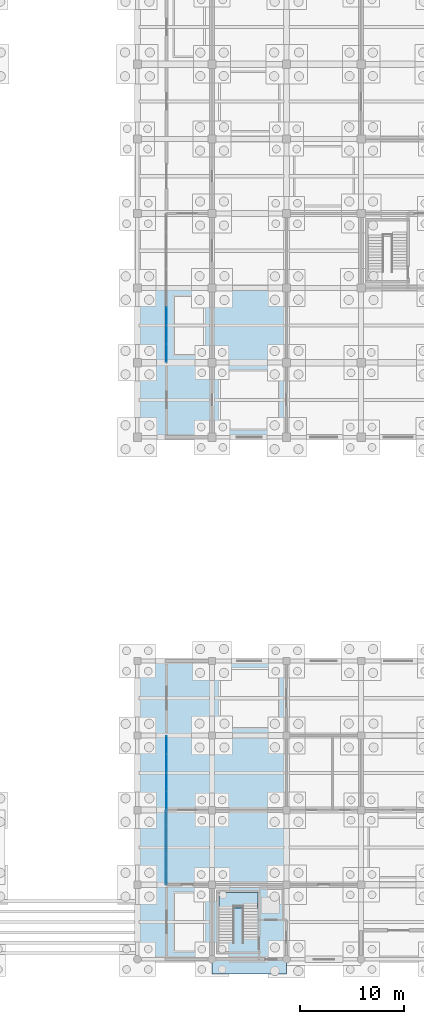
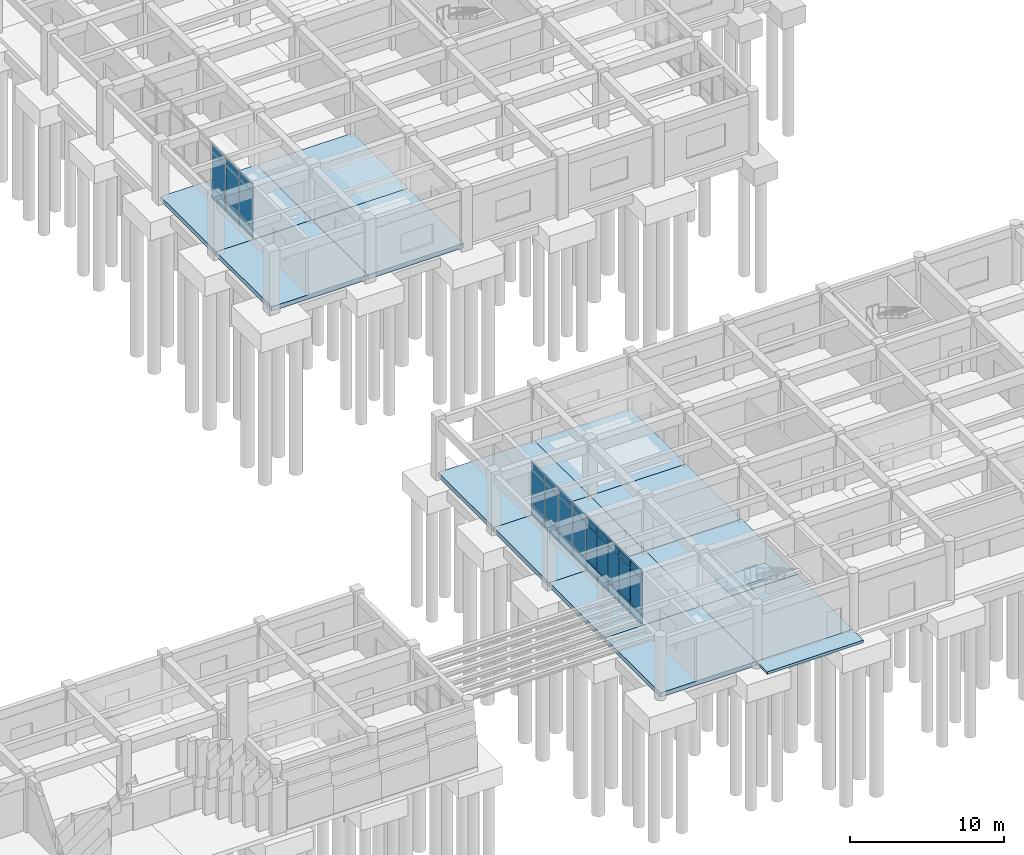
# One storey, part 46 of 79: 36 plates, 14 slabs, 4 elements without a shape of their own.
"""IFC4 building model written with IfcOpenShell, lengths in metres."""

from ifc_helpers import new_model, si_unit, direction, frame, origin, origin_2d, place, context, subcontext, project, spatial, polyline, rectangle, outline, extrude, material, layer, layer_set, type_object, element, aggregate, save


model = new_model("IFC4")

# Units and contexts
model_context = context("Model", 3, precision=1e-05, world=origin(), true_north=direction((0.0, 1.0)))
body_context = subcontext(model_context, "Body", "Model", "MODEL_VIEW")
ifc_project = project(units=[si_unit("LENGTHUNIT", "METRE"), si_unit("AREAUNIT", "SQUARE_METRE"), si_unit("VOLUMEUNIT", "CUBIC_METRE"), si_unit("PLANEANGLEUNIT", "RADIAN"), si_unit("MASSUNIT", "GRAM", prefix="KILO")], contexts=[model_context])

# Site, building, storey
site_placement = place(None, origin())
site = spatial("IfcSite", under=ifc_project, at=site_placement, CompositionType="ELEMENT")
building_placement = place(site_placement, origin())
building = spatial("IfcBuilding", under=site, at=building_placement, Name="Kavelor Marine Aquarium", CompositionType="ELEMENT")
storey_placement = place(building_placement, origin())
storey = spatial("IfcBuildingStorey", under=building, at=storey_placement, Name="L00", CompositionType="ELEMENT", Elevation=0.0)

# Curtain wall, plates
ifc_material_1 = material(Name="Thermally Broken Aluminium and Low-E Glass", Category="aluminium")
ifc_layer_1 = layer(ifc_material_1, 0.243896484375)
ifc_layer_set_1 = layer_set([ifc_layer_1], Name="CW-SYS13")
curtain_wall_type_1 = type_object("IfcCurtainWallType", Name="CW-SYS13", PredefinedType="USERDEFINED", material=ifc_layer_set_1)
curtain_wall_1_placement = place(storey_placement, origin())
curtain_wall_1 = element("IfcCurtainWall", 1, at=curtain_wall_1_placement, inside=storey, type_object=curtain_wall_type_1, Name="cw:arc:v3w:02", ObjectType="Curtain Wall", PredefinedType="USERDEFINED")
ifc_material_2 = material(Name="Solar-Control Double Low-E Glazing", Category="glass")
ifc_layer_2 = layer(ifc_material_2, 0.02587890625)
ifc_layer_set_2 = layer_set([ifc_layer_2], Name="CWP-01")
plate_type_1 = type_object("IfcPlateType", Name="CWP-01", PredefinedType="CURTAIN_PANEL", material=ifc_layer_set_2)
plate_1_placement = place(storey_placement, frame((121.199951171875, 23.481201171875, 0.074951171875), z_axis=(0.0, 0.0, 1.0), x_axis=(0.0, -1.0, 0.0)))
plate_1 = element("IfcPlate", 2, at=plate_1_placement, type_object=plate_type_1, Name="CW13 panel 1.1", PredefinedType="CURTAIN_PANEL", context=body_context, shape_type="SweptSolid", body=[
    extrude(rectangle(XDim=1.6875, YDim=0.02587890625, at=origin_2d()), origin(), (0.0, 0.0, 1.0), 0.78759765625),
])
plate_2_placement = place(storey_placement, frame((121.199951171875, 23.481201171875, 0.9375), z_axis=(0.0, 0.0, 1.0), x_axis=(0.0, -1.0, 0.0)))
plate_2 = element("IfcPlate", 3, at=plate_2_placement, type_object=plate_type_1, Name="CW13 panel 1.2", PredefinedType="CURTAIN_PANEL", context=body_context, shape_type="SweptSolid", body=[
    extrude(rectangle(XDim=1.6875, YDim=0.02587890625, at=origin_2d()), origin(), (0.0, 0.0, 1.0), 2.7451171875),
])
plate_3_placement = place(storey_placement, frame((121.199951171875, 23.481201171875, 3.757568359375), z_axis=(0.0, 0.0, 1.0), x_axis=(0.0, -1.0, 0.0)))
plate_3 = element("IfcPlate", 4, at=plate_3_placement, type_object=plate_type_1, Name="CW13 panel 1.3", PredefinedType="CURTAIN_PANEL", context=body_context, shape_type="SweptSolid", body=[
    extrude(rectangle(XDim=1.6875, YDim=0.02587890625, at=origin_2d()), origin(), (0.0, 0.0, 1.0), 0.53759765625),
])
plate_4_placement = place(storey_placement, frame((121.199951171875, 21.699951171875, 0.074951171875), z_axis=(0.0, 0.0, 1.0), x_axis=(0.0, -1.0, 0.0)))
plate_4 = element("IfcPlate", 5, at=plate_4_placement, type_object=plate_type_1, Name="CW13 panel 2.1", PredefinedType="CURTAIN_PANEL", context=body_context, shape_type="SweptSolid", body=[
    extrude(rectangle(XDim=1.72509765625, YDim=0.02587890625, at=origin_2d()), origin(), (0.0, 0.0, 1.0), 0.78759765625),
])
plate_5_placement = place(storey_placement, frame((121.199951171875, 21.699951171875, 0.9375), z_axis=(0.0, 0.0, 1.0), x_axis=(0.0, -1.0, 0.0)))
plate_5 = element("IfcPlate", 6, at=plate_5_placement, type_object=plate_type_1, Name="CW13 panel 2.2", PredefinedType="CURTAIN_PANEL", context=body_context, shape_type="SweptSolid", body=[
    extrude(rectangle(XDim=1.72509765625, YDim=0.02587890625, at=origin_2d()), origin(), (0.0, 0.0, 1.0), 2.7451171875),
])
plate_6_placement = place(storey_placement, frame((121.199951171875, 21.699951171875, 3.757568359375), z_axis=(0.0, 0.0, 1.0), x_axis=(0.0, -1.0, 0.0)))
plate_6 = element("IfcPlate", 7, at=plate_6_placement, type_object=plate_type_1, Name="CW13 panel 2.3", PredefinedType="CURTAIN_PANEL", context=body_context, shape_type="SweptSolid", body=[
    extrude(rectangle(XDim=1.72509765625, YDim=0.02587890625, at=origin_2d()), origin(), (0.0, 0.0, 1.0), 0.53759765625),
])
plate_7_placement = place(storey_placement, frame((121.199951171875, 19.89990234375, 0.074951171875), z_axis=(0.0, 0.0, 1.0), x_axis=(0.0, -1.0, 0.0)))
plate_7 = element("IfcPlate", 8, at=plate_7_placement, type_object=plate_type_1, Name="CW13 panel 3.1", PredefinedType="CURTAIN_PANEL", context=body_context, shape_type="SweptSolid", body=[
    extrude(rectangle(XDim=1.72509765625, YDim=0.02587890625, at=origin_2d()), origin(), (0.0, 0.0, 1.0), 0.78759765625),
])
plate_8_placement = place(storey_placement, frame((121.199951171875, 19.89990234375, 0.9375), z_axis=(0.0, 0.0, 1.0), x_axis=(0.0, -1.0, 0.0)))
plate_8 = element("IfcPlate", 9, at=plate_8_placement, type_object=plate_type_1, Name="CW13 panel 3.2", PredefinedType="CURTAIN_PANEL", context=body_context, shape_type="SweptSolid", body=[
    extrude(rectangle(XDim=1.72509765625, YDim=0.02587890625, at=origin_2d()), origin(), (0.0, 0.0, 1.0), 2.7451171875),
])
plate_9_placement = place(storey_placement, frame((121.199951171875, 19.89990234375, 3.757568359375), z_axis=(0.0, 0.0, 1.0), x_axis=(0.0, -1.0, 0.0)))
plate_9 = element("IfcPlate", 10, at=plate_9_placement, type_object=plate_type_1, Name="CW13 panel 3.3", PredefinedType="CURTAIN_PANEL", context=body_context, shape_type="SweptSolid", body=[
    extrude(rectangle(XDim=1.72509765625, YDim=0.02587890625, at=origin_2d()), origin(), (0.0, 0.0, 1.0), 0.53759765625),
])
plate_10_placement = place(storey_placement, frame((121.199951171875, 18.11865234375, 0.074951171875), z_axis=(0.0, 0.0, 1.0), x_axis=(0.0, -1.0, 0.0)))
plate_10 = element("IfcPlate", 11, at=plate_10_placement, type_object=plate_type_1, Name="CW13 panel 4.1", PredefinedType="CURTAIN_PANEL", context=body_context, shape_type="SweptSolid", body=[
    extrude(rectangle(XDim=1.6875, YDim=0.02587890625, at=origin_2d()), origin(), (0.0, 0.0, 1.0), 0.78759765625),
])
plate_11_placement = place(storey_placement, frame((121.199951171875, 18.11865234375, 0.9375), z_axis=(0.0, 0.0, 1.0), x_axis=(0.0, -1.0, 0.0)))
plate_11 = element("IfcPlate", 12, at=plate_11_placement, type_object=plate_type_1, Name="CW13 panel 4.2", PredefinedType="CURTAIN_PANEL", context=body_context, shape_type="SweptSolid", body=[
    extrude(rectangle(XDim=1.6875, YDim=0.02587890625, at=origin_2d()), origin(), (0.0, 0.0, 1.0), 2.7451171875),
])
plate_12_placement = place(storey_placement, frame((121.199951171875, 18.11865234375, 3.757568359375), z_axis=(0.0, 0.0, 1.0), x_axis=(0.0, -1.0, 0.0)))
plate_12 = element("IfcPlate", 13, at=plate_12_placement, type_object=plate_type_1, Name="CW13 panel 4.3", PredefinedType="CURTAIN_PANEL", context=body_context, shape_type="SweptSolid", body=[
    extrude(rectangle(XDim=1.6875, YDim=0.02587890625, at=origin_2d()), origin(), (0.0, 0.0, 1.0), 0.53759765625),
])
aggregate(curtain_wall_1, [plate_1, plate_2, plate_3, plate_4, plate_5, plate_6, plate_7, plate_8, plate_9, plate_10, plate_11, plate_12])

ifc_material_3 = material(Name="Thermally Broken Aluminium and Low-E Glass", Category="aluminium")
ifc_layer_3 = layer(ifc_material_3, 0.26806640625)
ifc_layer_set_3 = layer_set([ifc_layer_3], Name="CW-SYS16")
curtain_wall_type_2 = type_object("IfcCurtainWallType", Name="CW-SYS16", PredefinedType="USERDEFINED", material=ifc_layer_set_3)
curtain_wall_2_placement = place(storey_placement, origin())
curtain_wall_2 = element("IfcCurtainWall", 14, at=curtain_wall_2_placement, inside=storey, type_object=curtain_wall_type_2, Name="cw:arc:v6w:08", ObjectType="Curtain Wall", PredefinedType="USERDEFINED")
ifc_material_4 = material(Name="Solar-Control Double Low-E Glazing", Category="glass")
ifc_layer_4 = layer(ifc_material_4, 0.031982421875)
ifc_layer_set_4 = layer_set([ifc_layer_4], Name="CWP-04")
plate_type_2 = type_object("IfcPlateType", Name="CWP-04", PredefinedType="CURTAIN_PANEL", material=ifc_layer_set_4)
plate_13_placement = place(storey_placement, frame((121.199951171875, 64.89990234375, 0.06005859375), z_axis=(0.0, 0.0, 1.0), x_axis=(0.0, -1.0, 0.0)))
plate_13 = element("IfcPlate", 15, at=plate_13_placement, type_object=plate_type_2, Name="CW16 panel 2.1", PredefinedType="CURTAIN_PANEL", context=body_context, shape_type="SweptSolid", body=[
    extrude(rectangle(XDim=1.72509765625, YDim=0.031982421875, at=origin_2d()), origin(), (0.0, 0.0, 1.0), 0.81005859375),
])
plate_14_placement = place(storey_placement, frame((121.199951171875, 64.89990234375, 0.93017578125), z_axis=(0.0, 0.0, 1.0), x_axis=(0.0, -1.0, 0.0)))
plate_14 = element("IfcPlate", 16, at=plate_14_placement, type_object=plate_type_2, Name="CW16 panel 2.2", PredefinedType="CURTAIN_PANEL", context=body_context, shape_type="SweptSolid", body=[
    extrude(rectangle(XDim=1.72509765625, YDim=0.031982421875, at=origin_2d()), origin(), (0.0, 0.0, 1.0), 2.760009765625),
])
plate_15_placement = place(storey_placement, frame((121.199951171875, 64.89990234375, 3.75), z_axis=(0.0, 0.0, 1.0), x_axis=(0.0, -1.0, 0.0)))
plate_15 = element("IfcPlate", 17, at=plate_15_placement, type_object=plate_type_2, Name="CW16 panel 2.3", PredefinedType="CURTAIN_PANEL", context=body_context, shape_type="SweptSolid", body=[
    extrude(rectangle(XDim=1.72509765625, YDim=0.031982421875, at=origin_2d()), origin(), (0.0, 0.0, 1.0), 0.56005859375),
])
plate_16_placement = place(storey_placement, frame((121.199951171875, 63.10009765625, 0.06005859375), z_axis=(0.0, 0.0, 1.0), x_axis=(0.0, -1.0, 0.0)))
plate_16 = element("IfcPlate", 18, at=plate_16_placement, type_object=plate_type_2, Name="CW16 panel 3.1", PredefinedType="CURTAIN_PANEL", context=body_context, shape_type="SweptSolid", body=[
    extrude(rectangle(XDim=1.72509765625, YDim=0.031982421875, at=origin_2d()), origin(), (0.0, 0.0, 1.0), 0.81005859375),
])
plate_17_placement = place(storey_placement, frame((121.199951171875, 63.10009765625, 0.93017578125), z_axis=(0.0, 0.0, 1.0), x_axis=(0.0, -1.0, 0.0)))
plate_17 = element("IfcPlate", 19, at=plate_17_placement, type_object=plate_type_2, Name="CW16 panel 3.2", PredefinedType="CURTAIN_PANEL", context=body_context, shape_type="SweptSolid", body=[
    extrude(rectangle(XDim=1.72509765625, YDim=0.031982421875, at=origin_2d()), origin(), (0.0, 0.0, 1.0), 2.760009765625),
])
plate_18_placement = place(storey_placement, frame((121.199951171875, 63.10009765625, 3.75), z_axis=(0.0, 0.0, 1.0), x_axis=(0.0, -1.0, 0.0)))
plate_18 = element("IfcPlate", 20, at=plate_18_placement, type_object=plate_type_2, Name="CW16 panel 3.3", PredefinedType="CURTAIN_PANEL", context=body_context, shape_type="SweptSolid", body=[
    extrude(rectangle(XDim=1.72509765625, YDim=0.031982421875, at=origin_2d()), origin(), (0.0, 0.0, 1.0), 0.56005859375),
])
plate_19_placement = place(storey_placement, frame((121.199951171875, 61.31884765625, 0.06005859375), z_axis=(0.0, 0.0, 1.0), x_axis=(0.0, -1.0, 0.0)))
plate_19 = element("IfcPlate", 21, at=plate_19_placement, type_object=plate_type_2, Name="CW16 panel 4.1", PredefinedType="CURTAIN_PANEL", context=body_context, shape_type="SweptSolid", body=[
    extrude(rectangle(XDim=1.6875, YDim=0.031982421875, at=origin_2d()), origin(), (0.0, 0.0, 1.0), 0.81005859375),
])
plate_20_placement = place(storey_placement, frame((121.199951171875, 61.31884765625, 0.93017578125), z_axis=(0.0, 0.0, 1.0), x_axis=(0.0, -1.0, 0.0)))
plate_20 = element("IfcPlate", 22, at=plate_20_placement, type_object=plate_type_2, Name="CW16 panel 4.2", PredefinedType="CURTAIN_PANEL", context=body_context, shape_type="SweptSolid", body=[
    extrude(rectangle(XDim=1.6875, YDim=0.031982421875, at=origin_2d()), origin(), (0.0, 0.0, 1.0), 2.760009765625),
])
plate_21_placement = place(storey_placement, frame((121.199951171875, 61.31884765625, 3.75), z_axis=(0.0, 0.0, 1.0), x_axis=(0.0, -1.0, 0.0)))
plate_21 = element("IfcPlate", 23, at=plate_21_placement, type_object=plate_type_2, Name="CW16 panel 4.3", PredefinedType="CURTAIN_PANEL", context=body_context, shape_type="SweptSolid", body=[
    extrude(rectangle(XDim=1.6875, YDim=0.031982421875, at=origin_2d()), origin(), (0.0, 0.0, 1.0), 0.56005859375),
])
aggregate(curtain_wall_2, [plate_13, plate_14, plate_15, plate_16, plate_17, plate_18, plate_19, plate_20, plate_21])

ifc_material_5 = material(Name="Thermally Broken Aluminium and Low-E Glass", Category="aluminium")
ifc_layer_5 = layer(ifc_material_5, 0.236083984375)
ifc_layer_set_5 = layer_set([ifc_layer_5], Name="CW-SYS12")
curtain_wall_type_3 = type_object("IfcCurtainWallType", Name="CW-SYS12", PredefinedType="USERDEFINED", material=ifc_layer_set_5)
curtain_wall_3_placement = place(storey_placement, origin())
curtain_wall_3 = element("IfcCurtainWall", 24, at=curtain_wall_3_placement, inside=storey, type_object=curtain_wall_type_3, Name="cw:arc:v3w:01", ObjectType="Curtain Wall", PredefinedType="USERDEFINED")
ifc_material_6 = material(Name="Laminated Cast Acrylic Viewing Glazing", Category="glass")
ifc_layer_6 = layer(ifc_material_6, 0.095947265625)
ifc_layer_set_6 = layer_set([ifc_layer_6], Name="CWP-36")
plate_type_3 = type_object("IfcPlateType", Name="CWP-36", PredefinedType="CURTAIN_PANEL", material=ifc_layer_set_6)
plate_22_placement = place(storey_placement, frame((121.199951171875, 16.465087890625, 0.074951171875), z_axis=(0.0, 0.0, 1.0), x_axis=(0.0, -1.0, 0.0)))
plate_22 = element("IfcPlate", 25, at=plate_22_placement, type_object=plate_type_3, Name="CW12 panel 1.1", PredefinedType="CURTAIN_PANEL", context=body_context, shape_type="SweptSolid", body=[
    extrude(rectangle(XDim=1.35009765625, YDim=0.095947265625, at=origin_2d()), origin(), (0.0, 0.0, 1.0), 0.78759765625),
])
plate_23_placement = place(storey_placement, frame((121.199951171875, 16.465087890625, 0.9375), z_axis=(0.0, 0.0, 1.0), x_axis=(0.0, -1.0, 0.0)))
plate_23 = element("IfcPlate", 26, at=plate_23_placement, type_object=plate_type_3, Name="CW12 panel 1.2", PredefinedType="CURTAIN_PANEL", context=body_context, shape_type="SweptSolid", body=[
    extrude(rectangle(XDim=1.35009765625, YDim=0.095947265625, at=origin_2d()), origin(), (0.0, 0.0, 1.0), 2.7451171875),
])
plate_24_placement = place(storey_placement, frame((121.199951171875, 16.465087890625, 3.757568359375), z_axis=(0.0, 0.0, 1.0), x_axis=(0.0, -1.0, 0.0)))
plate_24 = element("IfcPlate", 27, at=plate_24_placement, type_object=plate_type_3, Name="CW12 panel 1.3", PredefinedType="CURTAIN_PANEL", context=body_context, shape_type="SweptSolid", body=[
    extrude(rectangle(XDim=1.35009765625, YDim=0.095947265625, at=origin_2d()), origin(), (0.0, 0.0, 1.0), 0.53759765625),
])
plate_25_placement = place(storey_placement, frame((121.199951171875, 15.0400390625, 0.074951171875), z_axis=(0.0, 0.0, 1.0), x_axis=(0.0, -1.0, 0.0)))
plate_25 = element("IfcPlate", 28, at=plate_25_placement, type_object=plate_type_3, Name="CW12 panel 2.1", PredefinedType="CURTAIN_PANEL", context=body_context, shape_type="SweptSolid", body=[
    extrude(rectangle(XDim=1.3798828125, YDim=0.095947265625, at=origin_2d()), origin(), (0.0, 0.0, 1.0), 0.78759765625),
])
plate_26_placement = place(storey_placement, frame((121.199951171875, 15.0400390625, 0.9375), z_axis=(0.0, 0.0, 1.0), x_axis=(0.0, -1.0, 0.0)))
plate_26 = element("IfcPlate", 29, at=plate_26_placement, type_object=plate_type_3, Name="CW12 panel 2.2", PredefinedType="CURTAIN_PANEL", context=body_context, shape_type="SweptSolid", body=[
    extrude(rectangle(XDim=1.3798828125, YDim=0.095947265625, at=origin_2d()), origin(), (0.0, 0.0, 1.0), 2.7451171875),
])
plate_27_placement = place(storey_placement, frame((121.199951171875, 15.0400390625, 3.757568359375), z_axis=(0.0, 0.0, 1.0), x_axis=(0.0, -1.0, 0.0)))
plate_27 = element("IfcPlate", 30, at=plate_27_placement, type_object=plate_type_3, Name="CW12 panel 2.3", PredefinedType="CURTAIN_PANEL", context=body_context, shape_type="SweptSolid", body=[
    extrude(rectangle(XDim=1.3798828125, YDim=0.095947265625, at=origin_2d()), origin(), (0.0, 0.0, 1.0), 0.53759765625),
])
plate_28_placement = place(storey_placement, frame((121.199951171875, 13.60009765625, 0.074951171875), z_axis=(0.0, 0.0, 1.0), x_axis=(0.0, -1.0, 0.0)))
plate_28 = element("IfcPlate", 31, at=plate_28_placement, type_object=plate_type_3, Name="CW12 panel 3.1", PredefinedType="CURTAIN_PANEL", context=body_context, shape_type="SweptSolid", body=[
    extrude(rectangle(XDim=1.3798828125, YDim=0.095947265625, at=origin_2d()), origin(), (0.0, 0.0, 1.0), 0.78759765625),
])
plate_29_placement = place(storey_placement, frame((121.199951171875, 13.60009765625, 0.9375), z_axis=(0.0, 0.0, 1.0), x_axis=(0.0, -1.0, 0.0)))
plate_29 = element("IfcPlate", 32, at=plate_29_placement, type_object=plate_type_3, Name="CW12 panel 3.2", PredefinedType="CURTAIN_PANEL", context=body_context, shape_type="SweptSolid", body=[
    extrude(rectangle(XDim=1.3798828125, YDim=0.095947265625, at=origin_2d()), origin(), (0.0, 0.0, 1.0), 2.7451171875),
])
plate_30_placement = place(storey_placement, frame((121.199951171875, 13.60009765625, 3.757568359375), z_axis=(0.0, 0.0, 1.0), x_axis=(0.0, -1.0, 0.0)))
plate_30 = element("IfcPlate", 33, at=plate_30_placement, type_object=plate_type_3, Name="CW12 panel 3.3", PredefinedType="CURTAIN_PANEL", context=body_context, shape_type="SweptSolid", body=[
    extrude(rectangle(XDim=1.3798828125, YDim=0.095947265625, at=origin_2d()), origin(), (0.0, 0.0, 1.0), 0.53759765625),
])
plate_31_placement = place(storey_placement, frame((121.199951171875, 12.159912109375, 0.074951171875), z_axis=(0.0, 0.0, 1.0), x_axis=(0.0, -1.0, 0.0)))
plate_31 = element("IfcPlate", 34, at=plate_31_placement, type_object=plate_type_3, Name="CW12 panel 4.1", PredefinedType="CURTAIN_PANEL", context=body_context, shape_type="SweptSolid", body=[
    extrude(rectangle(XDim=1.3798828125, YDim=0.095947265625, at=origin_2d()), origin(), (0.0, 0.0, 1.0), 0.78759765625),
])
plate_32_placement = place(storey_placement, frame((121.199951171875, 12.159912109375, 0.9375), z_axis=(0.0, 0.0, 1.0), x_axis=(0.0, -1.0, 0.0)))
plate_32 = element("IfcPlate", 35, at=plate_32_placement, type_object=plate_type_3, Name="CW12 panel 4.2", PredefinedType="CURTAIN_PANEL", context=body_context, shape_type="SweptSolid", body=[
    extrude(rectangle(XDim=1.3798828125, YDim=0.095947265625, at=origin_2d()), origin(), (0.0, 0.0, 1.0), 2.7451171875),
])
plate_33_placement = place(storey_placement, frame((121.199951171875, 12.159912109375, 3.757568359375), z_axis=(0.0, 0.0, 1.0), x_axis=(0.0, -1.0, 0.0)))
plate_33 = element("IfcPlate", 36, at=plate_33_placement, type_object=plate_type_3, Name="CW12 panel 4.3", PredefinedType="CURTAIN_PANEL", context=body_context, shape_type="SweptSolid", body=[
    extrude(rectangle(XDim=1.3798828125, YDim=0.095947265625, at=origin_2d()), origin(), (0.0, 0.0, 1.0), 0.53759765625),
])
plate_34_placement = place(storey_placement, frame((121.199951171875, 10.735107421875, 0.074951171875), z_axis=(0.0, 0.0, 1.0), x_axis=(0.0, -1.0, 0.0)))
plate_34 = element("IfcPlate", 37, at=plate_34_placement, type_object=plate_type_3, Name="CW12 panel 5.1", PredefinedType="CURTAIN_PANEL", context=body_context, shape_type="SweptSolid", body=[
    extrude(rectangle(XDim=1.35009765625, YDim=0.095947265625, at=origin_2d()), origin(), (0.0, 0.0, 1.0), 0.78759765625),
])
plate_35_placement = place(storey_placement, frame((121.199951171875, 10.735107421875, 0.9375), z_axis=(0.0, 0.0, 1.0), x_axis=(0.0, -1.0, 0.0)))
plate_35 = element("IfcPlate", 38, at=plate_35_placement, type_object=plate_type_3, Name="CW12 panel 5.2", PredefinedType="CURTAIN_PANEL", context=body_context, shape_type="SweptSolid", body=[
    extrude(rectangle(XDim=1.35009765625, YDim=0.095947265625, at=origin_2d()), origin(), (0.0, 0.0, 1.0), 2.7451171875),
])
plate_36_placement = place(storey_placement, frame((121.199951171875, 10.735107421875, 3.757568359375), z_axis=(0.0, 0.0, 1.0), x_axis=(0.0, -1.0, 0.0)))
plate_36 = element("IfcPlate", 39, at=plate_36_placement, type_object=plate_type_3, Name="CW12 panel 5.3", PredefinedType="CURTAIN_PANEL", context=body_context, shape_type="SweptSolid", body=[
    extrude(rectangle(XDim=1.35009765625, YDim=0.095947265625, at=origin_2d()), origin(), (0.0, 0.0, 1.0), 0.53759765625),
])
aggregate(curtain_wall_3, [plate_22, plate_23, plate_24, plate_25, plate_26, plate_27, plate_28, plate_29, plate_30, plate_31, plate_32, plate_33, plate_34, plate_35, plate_36])

# Stair, slab
ifc_material_7 = material(Name="Concrete C40/50", Category="concrete")
stair_type = type_object("IfcStairType", Name="ST-T1", PredefinedType="HALF_TURN_STAIR", material=ifc_material_7)
stair_placement = place(storey_placement, origin())
stair = element("IfcStair", 40, at=stair_placement, inside=storey, type_object=stair_type, Name="Exit Stair ST08 (L00)", PredefinedType="HALF_TURN_STAIR")
ifc_material_8 = material(Name="Concrete C40/50", Category="concrete")
ifc_layer_7 = layer(ifc_material_8, 0.199951171875)
ifc_layer_set_7 = layer_set([ifc_layer_7], Name="LND-T1")
slab_type_1 = type_object("IfcSlabType", Name="LND-T1", PredefinedType="LANDING", material=ifc_layer_set_7)
slab_1_placement = place(storey_placement, frame((0.0, 0.0, 2.139892578125)))
slab_1 = element("IfcSlab", 41, at=slab_1_placement, type_object=slab_type_1, Name="ST08 landing 1", PredefinedType="LANDING", context=body_context, shape_type="SweptSolid", body=[
    extrude(outline(polyline([(126.260009765625, 7.7548828125), (130.02001953125, 7.7548828125), (130.02001953125, 9.260009765625), (126.260009765625, 9.260009765625), (126.260009765625, 7.7548828125)])), origin(), (0.0, 0.0, 1.0), 0.2001953125),
])
aggregate(stair, [slab_1])

# Slabs
ifc_material_9 = material(Name="Textured Coastal Granite Paving", Category="masonry")
ifc_layer_8 = layer(ifc_material_9, 0.199951171875)
ifc_layer_set_8 = layer_set([ifc_layer_8], Name="SL-AP1")
slab_type_2 = type_object("IfcSlabType", Name="SL-AP1", PredefinedType="BASESLAB", material=ifc_layer_set_8)
slab_2_placement = place(storey_placement, frame((0.0, 0.0, -0.199951171875)))
element("IfcSlab", 42, at=slab_2_placement, inside=storey, type_object=slab_type_2, Name="apron:sd2:x:17_00", PredefinedType="BASESLAB", context=body_context, shape_type="SweptSolid", body=[
    extrude(outline(polyline([(125.60009765625, 1.39990234375), (132.800048828125, 1.39990234375), (132.800048828125, 2.800048828125), (125.60009765625, 2.800048828125), (125.60009765625, 1.39990234375)])), origin(), (0.0, 0.0, 1.0), 0.199951171875),
])
ifc_material_10 = material(Name="Concrete C40/50", Category="concrete")
ifc_layer_9 = layer(ifc_material_10, 0.35009765625)
ifc_layer_set_9 = layer_set([ifc_layer_9], Name="SL-BS2")
slab_type_3 = type_object("IfcSlabType", Name="SL-BS2", PredefinedType="BASESLAB", material=ifc_layer_set_9)
slab_3_placement = place(storey_placement, frame((0.0, 0.0, -0.35009765625)))
element("IfcSlab", 43, at=slab_3_placement, inside=storey, type_object=slab_type_3, Name="slab:L00:16_00", PredefinedType="BASESLAB", context=body_context, shape_type="SweptSolid", body=[
    extrude(outline(polyline([(118.39990234375, 2.800048828125), (125.60009765625, 2.800048828125), (125.60009765625, 10.0), (118.39990234375, 10.0), (118.39990234375, 2.800048828125)])), origin(), (0.0, 0.0, 1.0), 0.35009765625),
])
slab_4_placement = place(storey_placement, frame((0.0, 0.0, -0.35009765625)))
element("IfcSlab", 44, at=slab_4_placement, inside=storey, type_object=slab_type_3, Name="slab:L00:16_01", PredefinedType="BASESLAB", context=body_context, shape_type="SweptSolid", body=[
    extrude(outline(polyline([(118.39990234375, 10.0), (125.60009765625, 10.0), (125.60009765625, 17.199951171875), (118.39990234375, 17.199951171875), (118.39990234375, 10.0)])), origin(), (0.0, 0.0, 1.0), 0.35009765625),
])
slab_5_placement = place(storey_placement, frame((0.0, 0.0, -0.35009765625)))
element("IfcSlab", 45, at=slab_5_placement, inside=storey, type_object=slab_type_3, Name="slab:L00:16_02", PredefinedType="BASESLAB", context=body_context, shape_type="SweptSolid", body=[
    extrude(outline(polyline([(118.39990234375, 17.199951171875), (125.60009765625, 17.199951171875), (125.60009765625, 24.39990234375), (118.39990234375, 24.39990234375), (118.39990234375, 17.199951171875)])), origin(), (0.0, 0.0, 1.0), 0.35009765625),
])
slab_6_placement = place(storey_placement, frame((0.0, 0.0, -0.35009765625)))
element("IfcSlab", 46, at=slab_6_placement, inside=storey, type_object=slab_type_3, Name="slab:L00:16_03", PredefinedType="BASESLAB", context=body_context, shape_type="SweptSolid", body=[
    extrude(outline(polyline([(118.39990234375, 24.39990234375), (125.60009765625, 24.39990234375), (125.60009765625, 31.60009765625), (118.39990234375, 31.60009765625), (118.39990234375, 24.39990234375)])), origin(), (0.0, 0.0, 1.0), 0.35009765625),
])
slab_7_placement = place(storey_placement, frame((0.0, 0.0, -0.35009765625)))
element("IfcSlab", 47, at=slab_7_placement, inside=storey, type_object=slab_type_3, Name="slab:L00:16_07", PredefinedType="BASESLAB", context=body_context, shape_type="SweptSolid", body=[
    extrude(outline(polyline([(118.39990234375, 53.199951171875), (125.60009765625, 53.199951171875), (125.60009765625, 60.39990234375), (118.39990234375, 60.39990234375), (118.39990234375, 53.199951171875)])), origin(), (0.0, 0.0, 1.0), 0.35009765625),
])
slab_8_placement = place(storey_placement, frame((0.0, 0.0, -0.35009765625)))
element("IfcSlab", 48, at=slab_8_placement, inside=storey, type_object=slab_type_3, Name="slab:L00:16_08", PredefinedType="BASESLAB", context=body_context, shape_type="SweptSolid", body=[
    extrude(outline(polyline([(118.39990234375, 60.39990234375), (125.60009765625, 60.39990234375), (125.60009765625, 67.60009765625), (118.39990234375, 67.60009765625), (118.39990234375, 60.39990234375)])), origin(), (0.0, 0.0, 1.0), 0.35009765625),
])
slab_9_placement = place(storey_placement, frame((0.0, 0.0, -0.35009765625)))
element("IfcSlab", 49, at=slab_9_placement, inside=storey, type_object=slab_type_3, Name="slab:L00:17_00", PredefinedType="BASESLAB", context=body_context, shape_type="SweptSolid", body=[
    extrude(outline(polyline([(125.60009765625, 2.800048828125), (132.800048828125, 2.800048828125), (132.800048828125, 10.0), (125.60009765625, 10.0), (125.60009765625, 2.800048828125)])), origin(), (0.0, 0.0, 1.0), 0.35009765625),
])
slab_10_placement = place(storey_placement, frame((0.0, 0.0, -0.35009765625)))
element("IfcSlab", 50, at=slab_10_placement, inside=storey, type_object=slab_type_3, Name="slab:L00:17_01", PredefinedType="BASESLAB", context=body_context, shape_type="SweptSolid", body=[
    extrude(outline(polyline([(125.60009765625, 10.0), (132.800048828125, 10.0), (132.800048828125, 17.199951171875), (125.60009765625, 17.199951171875), (125.60009765625, 10.0)])), origin(), (0.0, 0.0, 1.0), 0.35009765625),
])
slab_11_placement = place(storey_placement, frame((0.0, 0.0, -0.35009765625)))
element("IfcSlab", 51, at=slab_11_placement, inside=storey, type_object=slab_type_3, Name="slab:L00:17_02", PredefinedType="BASESLAB", context=body_context, shape_type="SweptSolid", body=[
    extrude(outline(polyline([(125.60009765625, 17.199951171875), (132.800048828125, 17.199951171875), (132.800048828125, 24.39990234375), (125.60009765625, 24.39990234375), (125.60009765625, 17.199951171875)])), origin(), (0.0, 0.0, 1.0), 0.35009765625),
])
slab_12_placement = place(storey_placement, frame((0.0, 0.0, -0.35009765625)))
element("IfcSlab", 52, at=slab_12_placement, inside=storey, type_object=slab_type_3, Name="slab:L00:17_03", PredefinedType="BASESLAB", context=body_context, shape_type="SweptSolid", body=[
    extrude(outline(polyline([(125.60009765625, 24.39990234375), (132.800048828125, 24.39990234375), (132.800048828125, 31.60009765625), (125.60009765625, 31.60009765625), (125.60009765625, 24.39990234375)])), origin(), (0.0, 0.0, 1.0), 0.35009765625),
])
slab_13_placement = place(storey_placement, frame((0.0, 0.0, -0.35009765625)))
element("IfcSlab", 53, at=slab_13_placement, inside=storey, type_object=slab_type_3, Name="slab:L00:17_07", PredefinedType="BASESLAB", context=body_context, shape_type="SweptSolid", body=[
    extrude(outline(polyline([(125.60009765625, 53.199951171875), (132.800048828125, 53.199951171875), (132.800048828125, 60.39990234375), (125.60009765625, 60.39990234375), (125.60009765625, 53.199951171875)])), origin(), (0.0, 0.0, 1.0), 0.35009765625),
])
slab_14_placement = place(storey_placement, frame((0.0, 0.0, -0.35009765625)))
element("IfcSlab", 54, at=slab_14_placement, inside=storey, type_object=slab_type_3, Name="slab:L00:17_08", PredefinedType="BASESLAB", context=body_context, shape_type="SweptSolid", body=[
    extrude(outline(polyline([(125.60009765625, 60.39990234375), (132.800048828125, 60.39990234375), (132.800048828125, 67.60009765625), (125.60009765625, 67.60009765625), (125.60009765625, 60.39990234375)])), origin(), (0.0, 0.0, 1.0), 0.35009765625),
])

save(model, "model.ifc")
